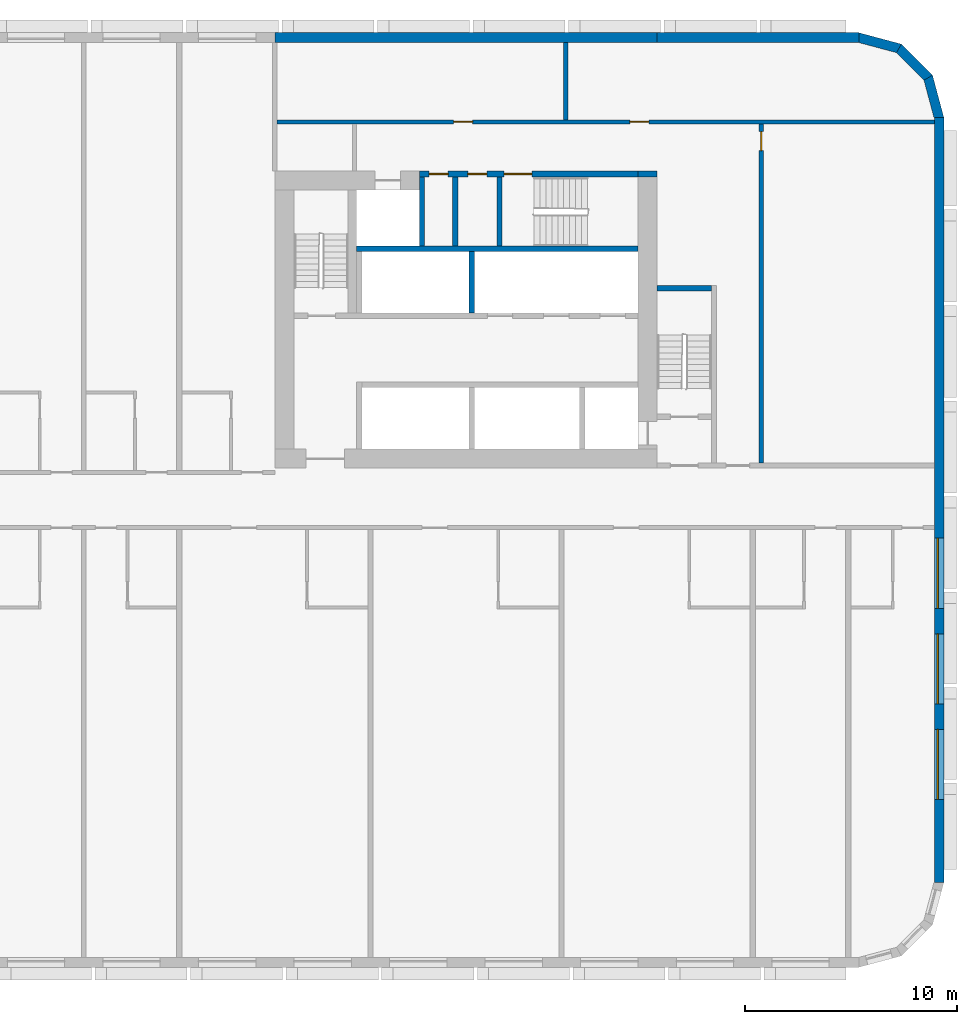
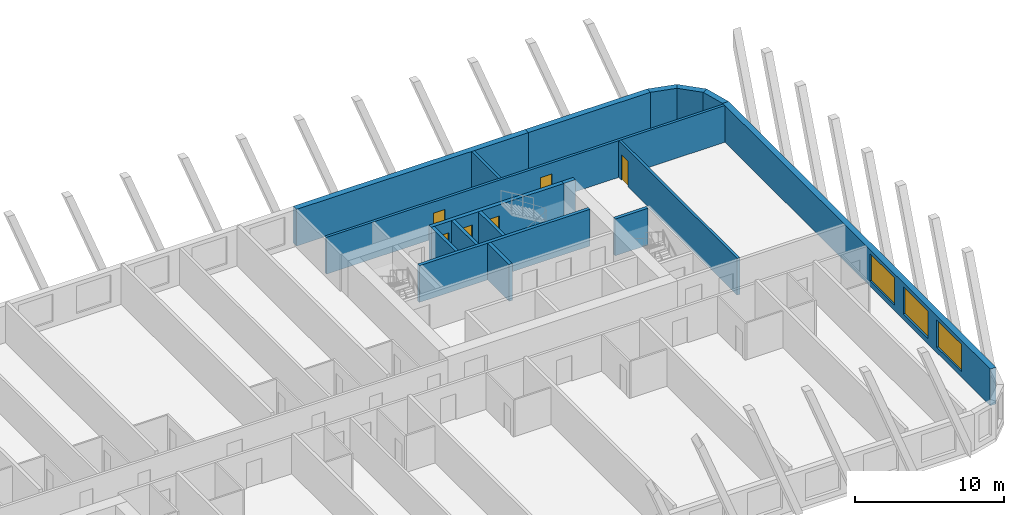
# One storey, part 8 of 13: 17 walls, 6 doors, 3 windows, 9 openings.
"""IFC4 building model written with IfcOpenShell, lengths in metres."""

from ifc_helpers import new_model, si_unit, direction, frame, frame_2d, origin, place, context, subcontext, project, spatial, polyline, rectangle, outline, extrude, material, layer, layer_set, type_object, element, fill, save


model = new_model("IFC4")

# Units and contexts
model_context = context("Model", 3, precision=1e-05, world=origin(), true_north=direction((0.0, 1.0)))
body_context = subcontext(model_context, "Body", "Model", "MODEL_VIEW")
ifc_project = project(units=[si_unit("LENGTHUNIT", "METRE"), si_unit("AREAUNIT", "SQUARE_METRE"), si_unit("VOLUMEUNIT", "CUBIC_METRE"), si_unit("PLANEANGLEUNIT", "RADIAN"), si_unit("MASSUNIT", "GRAM", prefix="KILO")], contexts=[model_context])

# Site, building, storey
site_placement = place(None, origin())
site = spatial("IfcSite", under=ifc_project, at=site_placement, CompositionType="ELEMENT")
building_placement = place(site_placement, origin())
building = spatial("IfcBuilding", under=site, at=building_placement, Name="Kajstack Hotel Tower", CompositionType="ELEMENT")
storey_placement = place(building_placement, frame((0.0, 0.0, 60.0)))
storey = spatial("IfcBuildingStorey", under=building, at=storey_placement, Name="L09", CompositionType="ELEMENT", Elevation=60.0)

# Walls
ifc_material_1 = material(Name="Concrete C60/75", Category="concrete")
ifc_layer_1 = layer(ifc_material_1, 0.89990234375)
ifc_layer_set_1 = layer_set([ifc_layer_1], Name="Core wall 900")
wall_type_1 = type_object("IfcWallType", Name="Core wall 900", PredefinedType="SHEAR", material=ifc_layer_set_1)
wall_1_placement = place(storey_placement, frame((30.60009765625, 15.35009765625, 0.0), z_axis=(0.0, 0.0, 1.0), x_axis=(1.0, 0.0, 0.0)))
element("IfcWall", 1, at=wall_1_placement, inside=storey, type_object=wall_type_1, Name="Core wall E RSW", PredefinedType="SHEAR", context=body_context, shape_type="SweptSolid", body=[
    extrude(rectangle(XDim=0.89990234375, YDim=0.300048828125, at=frame_2d((0.449951171875, 0.0))), origin(), (0.0, 0.0, 1.0), 3.02001953125),
])
ifc_material_2 = material(Name="Concrete C40/50", Category="concrete")
ifc_layer_2 = layer(ifc_material_2, 0.449951171875)
ifc_layer_set_2 = layer_set([ifc_layer_2], Name="EW-CORE")
wall_type_2 = type_object("IfcWallType", Name="EW-CORE", PredefinedType="SOLIDWALL", material=ifc_layer_set_2)
wall_2_placement = place(storey_placement, frame((31.5, 21.77490234375, 0.0), z_axis=(0.0, 0.0, 1.0), x_axis=(-1.0, 0.0, 0.0)))
element("IfcWall", 2, at=wall_2_placement, inside=storey, type_object=wall_type_2, Name="E-wall-L09-11-01", PredefinedType="SOLIDWALL", context=body_context, shape_type="SweptSolid", body=[
    extrude(rectangle(XDim=18.0, YDim=0.449951171875, at=frame_2d((9.0, 0.0))), origin(), (0.0, 0.0, 1.0), 3.02001953125),
])

# Wall, openings, windows
ifc_material_3 = material(Name="Terracotta-faced brick masonry", Category="masonry")
ifc_layer_3 = layer(ifc_material_3, 0.449951171875)
ifc_layer_set_3 = layer_set([ifc_layer_3], Name="EW-TERRA")
wall_type_3 = type_object("IfcWallType", Name="EW-TERRA", PredefinedType="SOLIDWALL", material=ifc_layer_set_3)
wall_3_placement = place(storey_placement, frame((44.77490234375, -18.0, 0.0), z_axis=(0.0, 0.0, 1.0), x_axis=(0.0, 1.0, 0.0)))
wall_3 = element("IfcWall", 3, at=wall_3_placement, inside=storey, type_object=wall_type_3, Name="E-wall-L09-07-00", PredefinedType="SOLIDWALL", context=body_context, shape_type="SweptSolid", body=[
    extrude(rectangle(XDim=36.0, YDim=0.449951171875, at=frame_2d((18.0, 0.0))), origin(), (0.0, 0.0, 1.0), 3.02001953125),
])
opening_1_placement = place(wall_3_placement, frame((3.89990234375, 0.0, 0.449951171875)))
opening_1 = element("IfcOpeningElement", 4, at=opening_1_placement, cuts=wall_3, Name="Opening W2", PredefinedType="OPENING", context=body_context, shape_type="SweptSolid", body=[
    extrude(rectangle(XDim=3.300048828125, YDim=2.25, at=frame_2d((1.64990234375, 1.125))), frame((0.0, 0.23486328125, 0.0), z_axis=(0.0, -1.0, 0.0), x_axis=(1.0, 0.0, 0.0)), (0.0, 0.0, 1.0), 0.469970703125),
])
opening_2_placement = place(wall_3_placement, frame((8.39990234375, 0.0, 0.449951171875)))
opening_2 = element("IfcOpeningElement", 5, at=opening_2_placement, cuts=wall_3, Name="Opening W2", PredefinedType="OPENING", context=body_context, shape_type="SweptSolid", body=[
    extrude(rectangle(XDim=3.300048828125, YDim=2.25, at=frame_2d((1.64990234375, 1.125))), frame((0.0, 0.23486328125, 0.0), z_axis=(0.0, -1.0, 0.0), x_axis=(1.0, 0.0, 0.0)), (0.0, 0.0, 1.0), 0.469970703125),
])
opening_3_placement = place(wall_3_placement, frame((12.89990234375, 0.0, 0.449951171875)))
opening_3 = element("IfcOpeningElement", 6, at=opening_3_placement, cuts=wall_3, Name="Opening W2", PredefinedType="OPENING", context=body_context, shape_type="SweptSolid", body=[
    extrude(rectangle(XDim=3.300048828125, YDim=2.25, at=frame_2d((1.64990234375, 1.125))), frame((0.0, 0.23486328125, 0.0), z_axis=(0.0, -1.0, 0.0), x_axis=(1.0, 0.0, 0.0)), (0.0, 0.0, 1.0), 0.469970703125),
])
ifc_material_4 = material(Name="Timber-aluminium window, triple glazed", Category="wood")
window_type = type_object("IfcWindowType", Name="WG2", PartitioningType="SINGLE_PANEL", PredefinedType="WINDOW", material=ifc_material_4)
window_1_placement = place(opening_1_placement, origin())
window_1 = element("IfcWindow", 7, at=window_1_placement, inside=storey, type_object=window_type, Name="Window W2 L09-07", OverallHeight=2.25, OverallWidth=3.300048828125, PartitioningType="SINGLE_PANEL", PredefinedType="WINDOW", context=body_context, shape_type="SweptSolid", body=[
    extrude(rectangle(XDim=3.300048828125, YDim=2.25, at=frame_2d((1.64990234375, 1.125))), frame((0.0, 0.090087890625, 0.0), z_axis=(0.0, -1.0, 0.0), x_axis=(1.0, 0.0, 0.0)), (0.0, 0.0, 1.0), 0.06005859375),
])
fill(opening_1, window_1)
window_2_placement = place(opening_2_placement, origin())
window_2 = element("IfcWindow", 8, at=window_2_placement, inside=storey, type_object=window_type, Name="Window W2 L09-07", OverallHeight=2.25, OverallWidth=3.300048828125, PartitioningType="SINGLE_PANEL", PredefinedType="WINDOW", context=body_context, shape_type="SweptSolid", body=[
    extrude(rectangle(XDim=3.300048828125, YDim=2.25, at=frame_2d((1.64990234375, 1.125))), frame((0.0, 0.090087890625, 0.0), z_axis=(0.0, -1.0, 0.0), x_axis=(1.0, 0.0, 0.0)), (0.0, 0.0, 1.0), 0.06005859375),
])
fill(opening_2, window_2)
window_3_placement = place(opening_3_placement, origin())
window_3 = element("IfcWindow", 9, at=window_3_placement, inside=storey, type_object=window_type, Name="Window W2 L09-07", OverallHeight=2.25, OverallWidth=3.300048828125, PartitioningType="SINGLE_PANEL", PredefinedType="WINDOW", context=body_context, shape_type="SweptSolid", body=[
    extrude(rectangle(XDim=3.300048828125, YDim=2.25, at=frame_2d((1.64990234375, 1.125))), frame((0.0, 0.090087890625, 0.0), z_axis=(0.0, -1.0, 0.0), x_axis=(1.0, 0.0, 0.0)), (0.0, 0.0, 1.0), 0.06005859375),
])
fill(opening_3, window_3)

# Walls
wall_4_placement = place(storey_placement, frame((44.78271484375, 17.941650390625, 0.0), z_axis=(0.0, 0.0, 1.0), x_axis=(-0.25881466832, 0.965926999034, 0.0)))
element("IfcWall", 10, at=wall_4_placement, inside=storey, type_object=wall_type_3, Name="E-wall-L09-08-00", PredefinedType="SOLIDWALL", context=body_context, shape_type="SweptSolid", body=[
    extrude(outline(polyline([(0.000244140625, -0.22509765625), (2.070556640625, -0.224853515625), (1.9501953125, 0.22509765625), (0.12060546875, 0.22509765625), (0.000244140625, -0.22509765625)])), origin(), (0.0, 0.0, 1.0), 3.02001953125),
])
wall_5_placement = place(storey_placement, frame((44.304931640625, 19.8408203125, 0.0), z_axis=(0.0, 0.0, 1.0), x_axis=(-0.707106781187, 0.707106781187, 0.0)))
element("IfcWall", 11, at=wall_5_placement, inside=storey, type_object=wall_type_3, Name="E-wall-L09-09-00", PredefinedType="SOLIDWALL", context=body_context, shape_type="SweptSolid", body=[
    extrude(outline(polyline([(0.0, -0.22509765625), (2.070556640625, -0.22509765625), (1.949951171875, 0.224853515625), (0.12060546875, 0.224853515625), (0.0, -0.22509765625)])), origin(), (0.0, 0.0, 1.0), 3.02001953125),
])
wall_6_placement = place(storey_placement, frame((42.941650390625, 21.246826171875, 0.0), z_axis=(0.0, 0.0, 1.0), x_axis=(-0.965926999034, 0.25881466832, 0.0)))
element("IfcWall", 12, at=wall_6_placement, inside=storey, type_object=wall_type_3, Name="E-wall-L09-10-00", PredefinedType="SOLIDWALL", context=body_context, shape_type="SweptSolid", body=[
    extrude(outline(polyline([(-0.000244140625, -0.224853515625), (2.0703125, -0.22509765625), (1.949951171875, 0.22509765625), (0.120361328125, 0.22509765625), (-0.000244140625, -0.224853515625)])), origin(), (0.0, 0.0, 1.0), 3.02001953125),
])
wall_7_placement = place(storey_placement, frame((41.0, 21.77490234375, 0.0), z_axis=(0.0, 0.0, 1.0), x_axis=(-1.0, 0.0, 0.0)))
element("IfcWall", 13, at=wall_7_placement, inside=storey, type_object=wall_type_3, Name="E-wall-L09-11-00", PredefinedType="SOLIDWALL", context=body_context, shape_type="SweptSolid", body=[
    extrude(rectangle(XDim=9.5, YDim=0.449951171875, at=frame_2d((4.75, 0.0))), origin(), (0.0, 0.0, 1.0), 3.02001953125),
])
ifc_material_5 = material(Name="Concrete C50/60", Category="concrete")
ifc_layer_4 = layer(ifc_material_5, 0.300048828125)
ifc_layer_set_4 = layer_set([ifc_layer_4], Name="Hoistway divider wall 300")
wall_type_4 = type_object("IfcWallType", Name="Hoistway divider wall 300", PredefinedType="SHEAR", material=ifc_layer_set_4)
wall_8_placement = place(storey_placement, frame((22.77490234375, 8.800048828125, 0.0), z_axis=(0.0, 0.0, 1.0), x_axis=(0.0, 1.0, 0.0)))
element("IfcWall", 14, at=wall_8_placement, inside=storey, type_object=wall_type_4, Name="Core wall E BP2", PredefinedType="SHEAR", context=body_context, shape_type="SweptSolid", body=[
    extrude(rectangle(XDim=2.89990234375, YDim=0.25, at=frame_2d((1.449951171875, 0.0))), origin(), (0.0, 0.0, 1.0), 3.02001953125),
])
ifc_material_6 = material(Name="Concrete block masonry", Category="masonry")
ifc_layer_5 = layer(ifc_material_6, 0.25)
ifc_layer_set_5 = layer_set([ifc_layer_5], Name="Riser partition 250")
wall_type_5 = type_object("IfcWallType", Name="Riser partition 250", PredefinedType="PARTITIONING", material=ifc_layer_set_5)
wall_9_placement = place(storey_placement, frame((22.0, 11.949951171875, 0.0), z_axis=(0.0, 0.0, 1.0), x_axis=(0.0, 1.0, 0.0)))
element("IfcWall", 15, at=wall_9_placement, inside=storey, type_object=wall_type_5, Name="Partition E SZ0", PredefinedType="PARTITIONING", context=body_context, shape_type="SweptSolid", body=[
    extrude(rectangle(XDim=3.25, YDim=0.25, at=frame_2d((1.625, 0.0))), origin(), (0.0, 0.0, 1.0), 3.02001953125),
])

# Wall, opening, door
ifc_material_7 = material(Name="Gypsum board on steel studs, mineral wool", Category="steel")
ifc_layer_6 = layer(ifc_material_7, 0.199951171875)
ifc_layer_set_6 = layer_set([ifc_layer_6], Name="Service partition 200")
wall_type_6 = type_object("IfcWallType", Name="Service partition 200", PredefinedType="PARTITIONING", material=ifc_layer_set_6)
wall_10_placement = place(storey_placement, frame((36.39990234375, 1.75, 0.0), z_axis=(0.0, 0.0, 1.0), x_axis=(0.0, 1.0, 0.0)))
wall_10 = element("IfcWall", 16, at=wall_10_placement, inside=storey, type_object=wall_type_6, Name="Partition E WRE", PredefinedType="PARTITIONING", context=body_context, shape_type="SweptSolid", body=[
    extrude(rectangle(XDim=15.949951171875, YDim=0.199951171875, at=frame_2d((7.97509765625, 0.0))), origin(), (0.0, 0.0, 1.0), 3.02001953125),
])
opening_4_placement = place(wall_10_placement, frame((14.699951171875, 0.0, 0.0)))
opening_4 = element("IfcOpeningElement", 17, at=opening_4_placement, cuts=wall_10, Name="Opening 09E16", PredefinedType="OPENING", context=body_context, shape_type="SweptSolid", body=[
    extrude(rectangle(XDim=0.89990234375, YDim=2.10009765625, at=frame_2d((0.449951171875, 1.050048828125))), frame((0.0, 0.10986328125, 0.0), z_axis=(0.0, -1.0, 0.0), x_axis=(1.0, 0.0, 0.0)), (0.0, 0.0, 1.0), 0.219970703125),
])
ifc_material_8 = material(Name="Timber leaf, fire-rated", Category="wood")
door_type_1 = type_object("IfcDoorType", Name="Service door 900", OperationType="SINGLE_SWING_LEFT", PredefinedType="DOOR", material=ifc_material_8)
door_1_placement = place(opening_4_placement, origin())
door_1 = element("IfcDoor", 18, at=door_1_placement, inside=storey, type_object=door_type_1, Name="Door 09E16", OperationType="SINGLE_SWING_RIGHT", OverallHeight=2.10009765625, OverallWidth=0.89990234375, PredefinedType="DOOR", context=body_context, shape_type="SweptSolid", body=[
    extrude(rectangle(XDim=0.89990234375, YDim=2.10009765625, at=frame_2d((0.449951171875, 1.050048828125))), frame((0.0, 0.02490234375, 0.0), z_axis=(0.0, -1.0, 0.0), x_axis=(1.0, 0.0, 0.0)), (0.0, 0.0, 1.0), 0.050048828125),
])
fill(opening_4, door_1)

# Wall, openings, doors
wall_11_placement = place(storey_placement, frame((13.60009765625, 17.800048828125, 0.0), z_axis=(0.0, 0.0, 1.0), x_axis=(1.0, 0.0, 0.0)))
wall_11 = element("IfcWall", 19, at=wall_11_placement, inside=storey, type_object=wall_type_6, Name="Partition E SLN", PredefinedType="PARTITIONING", context=body_context, shape_type="SweptSolid", body=[
    extrude(rectangle(XDim=30.949951171875, YDim=0.199951171875, at=frame_2d((15.47509765625, 0.0))), origin(), (0.0, 0.0, 1.0), 3.02001953125),
])
opening_5_placement = place(wall_11_placement, frame((16.612548828125, 0.0, 0.0)))
opening_5 = element("IfcOpeningElement", 20, at=opening_5_placement, cuts=wall_11, Name="Opening 09E14", PredefinedType="OPENING", context=body_context, shape_type="SweptSolid", body=[
    extrude(rectangle(XDim=0.89990234375, YDim=2.10009765625, at=frame_2d((0.449951171875, 1.050048828125))), frame((0.0, 0.10986328125, 0.0), z_axis=(0.0, -1.0, 0.0), x_axis=(1.0, 0.0, 0.0)), (0.0, 0.0, 1.0), 0.219970703125),
])
opening_6_placement = place(wall_11_placement, frame((8.3125, 0.0, 0.0)))
opening_6 = element("IfcOpeningElement", 21, at=opening_6_placement, cuts=wall_11, Name="Opening 09E15", PredefinedType="OPENING", context=body_context, shape_type="SweptSolid", body=[
    extrude(rectangle(XDim=0.89990234375, YDim=2.10009765625, at=frame_2d((0.449951171875, 1.050048828125))), frame((0.0, 0.10986328125, 0.0), z_axis=(0.0, -1.0, 0.0), x_axis=(1.0, 0.0, 0.0)), (0.0, 0.0, 1.0), 0.219970703125),
])
door_2_placement = place(opening_5_placement, origin())
door_2 = element("IfcDoor", 22, at=door_2_placement, inside=storey, type_object=door_type_1, Name="Door 09E14", OperationType="SINGLE_SWING_LEFT", OverallHeight=2.10009765625, OverallWidth=0.89990234375, PredefinedType="DOOR", context=body_context, shape_type="SweptSolid", body=[
    extrude(rectangle(XDim=0.89990234375, YDim=2.10009765625, at=frame_2d((0.449951171875, 1.050048828125))), frame((0.0, 0.02490234375, 0.0), z_axis=(0.0, -1.0, 0.0), x_axis=(1.0, 0.0, 0.0)), (0.0, 0.0, 1.0), 0.050048828125),
])
fill(opening_5, door_2)
door_3_placement = place(opening_6_placement, origin())
door_3 = element("IfcDoor", 23, at=door_3_placement, inside=storey, type_object=door_type_1, Name="Door 09E15", OperationType="SINGLE_SWING_LEFT", OverallHeight=2.10009765625, OverallWidth=0.89990234375, PredefinedType="DOOR", context=body_context, shape_type="SweptSolid", body=[
    extrude(rectangle(XDim=0.89990234375, YDim=2.10009765625, at=frame_2d((0.449951171875, 1.050048828125))), frame((0.0, 0.02490234375, 0.0), z_axis=(0.0, -1.0, 0.0), x_axis=(1.0, 0.0, 0.0)), (0.0, 0.0, 1.0), 0.050048828125),
])
fill(opening_6, door_3)

# Wall
wall_12_placement = place(storey_placement, frame((27.199951171875, 17.89990234375, 0.0), z_axis=(0.0, 0.0, 1.0), x_axis=(0.0, 1.0, 0.0)))
element("IfcWall", 24, at=wall_12_placement, inside=storey, type_object=wall_type_6, Name="Partition E SLP0", PredefinedType="PARTITIONING", context=body_context, shape_type="SweptSolid", body=[
    extrude(rectangle(XDim=3.650146484375, YDim=0.199951171875, at=frame_2d((1.8251953125, 0.0))), origin(), (0.0, 0.0, 1.0), 3.02001953125),
])

# Wall, openings, doors
ifc_layer_7 = layer(ifc_material_5, 0.25)
ifc_layer_set_7 = layer_set([ifc_layer_7], Name="Shaft wall 250")
wall_type_7 = type_object("IfcWallType", Name="Shaft wall 250", PredefinedType="SHEAR", material=ifc_layer_set_7)
wall_13_placement = place(storey_placement, frame((20.300048828125, 15.35009765625, 0.0), z_axis=(0.0, 0.0, 1.0), x_axis=(1.0, 0.0, 0.0)))
wall_13 = element("IfcWall", 25, at=wall_13_placement, inside=storey, type_object=wall_type_7, Name="Core wall E RSS", PredefinedType="SHEAR", context=body_context, shape_type="SweptSolid", body=[
    extrude(rectangle(XDim=10.300048828125, YDim=0.300048828125, at=frame_2d((5.14990234375, 0.0))), origin(), (0.0, 0.0, 1.0), 3.02001953125),
])
opening_7_placement = place(wall_13_placement, frame((4.0, 0.0, 0.0)))
opening_7 = element("IfcOpeningElement", 26, at=opening_7_placement, cuts=wall_13, Name="Opening 09E11", PredefinedType="OPENING", context=body_context, shape_type="SweptSolid", body=[
    extrude(rectangle(XDim=1.300048828125, YDim=2.10009765625, at=frame_2d((0.64990234375, 1.050048828125))), frame((0.0, 0.159912109375, 0.0), z_axis=(0.0, -1.0, 0.0), x_axis=(1.0, 0.0, 0.0)), (0.0, 0.0, 1.0), 0.320068359375),
])
opening_8_placement = place(wall_13_placement, frame((2.28759765625, 0.0, 0.0)))
opening_8 = element("IfcOpeningElement", 27, at=opening_8_placement, cuts=wall_13, Name="Opening 09E12", PredefinedType="OPENING", context=body_context, shape_type="SweptSolid", body=[
    extrude(rectangle(XDim=0.89990234375, YDim=2.10009765625, at=frame_2d((0.449951171875, 1.050048828125))), frame((0.0, 0.159912109375, 0.0), z_axis=(0.0, -1.0, 0.0), x_axis=(1.0, 0.0, 0.0)), (0.0, 0.0, 1.0), 0.320068359375),
])
opening_9_placement = place(wall_13_placement, frame((0.46240234375, 0.0, 0.0)))
opening_9 = element("IfcOpeningElement", 28, at=opening_9_placement, cuts=wall_13, Name="Opening 09E13", PredefinedType="OPENING", context=body_context, shape_type="SweptSolid", body=[
    extrude(rectangle(XDim=0.89990234375, YDim=2.10009765625, at=frame_2d((0.449951171875, 1.050048828125))), frame((0.0, 0.159912109375, 0.0), z_axis=(0.0, -1.0, 0.0), x_axis=(1.0, 0.0, 0.0)), (0.0, 0.0, 1.0), 0.320068359375),
])
door_4_placement = place(opening_8_placement, origin())
door_4 = element("IfcDoor", 29, at=door_4_placement, inside=storey, type_object=door_type_1, Name="Door 09E12", OperationType="SINGLE_SWING_RIGHT", OverallHeight=2.10009765625, OverallWidth=0.89990234375, PredefinedType="DOOR", context=body_context, shape_type="SweptSolid", body=[
    extrude(rectangle(XDim=0.89990234375, YDim=2.10009765625, at=frame_2d((0.449951171875, 1.050048828125))), frame((0.0, 0.02490234375, 0.0), z_axis=(0.0, -1.0, 0.0), x_axis=(1.0, 0.0, 0.0)), (0.0, 0.0, 1.0), 0.050048828125),
])
fill(opening_8, door_4)
door_5_placement = place(opening_9_placement, origin())
door_5 = element("IfcDoor", 30, at=door_5_placement, inside=storey, type_object=door_type_1, Name="Door 09E13", OperationType="SINGLE_SWING_RIGHT", OverallHeight=2.10009765625, OverallWidth=0.89990234375, PredefinedType="DOOR", context=body_context, shape_type="SweptSolid", body=[
    extrude(rectangle(XDim=0.89990234375, YDim=2.10009765625, at=frame_2d((0.449951171875, 1.050048828125))), frame((0.0, 0.02490234375, 0.0), z_axis=(0.0, -1.0, 0.0), x_axis=(1.0, 0.0, 0.0)), (0.0, 0.0, 1.0), 0.050048828125),
])
fill(opening_9, door_5)
ifc_material_9 = material(Name="Steel leaf, fire-rated", Category="steel")
door_type_2 = type_object("IfcDoorType", Name="Stair door 1300", OperationType="SINGLE_SWING_LEFT", PredefinedType="DOOR", material=ifc_material_9)
door_6_placement = place(opening_7_placement, origin())
door_6 = element("IfcDoor", 31, at=door_6_placement, inside=storey, type_object=door_type_2, Name="Door 09E11", OperationType="SINGLE_SWING_LEFT", OverallHeight=2.10009765625, OverallWidth=1.300048828125, PredefinedType="DOOR", context=body_context, shape_type="SweptSolid", body=[
    extrude(rectangle(XDim=1.300048828125, YDim=2.10009765625, at=frame_2d((0.64990234375, 1.050048828125))), frame((0.0, 0.02490234375, 0.0), z_axis=(0.0, -1.0, 0.0), x_axis=(1.0, 0.0, 0.0)), (0.0, 0.0, 1.0), 0.050048828125),
])
fill(opening_7, door_6)

# Walls
wall_14_placement = place(storey_placement, frame((17.35009765625, 11.824951171875, 0.0), z_axis=(0.0, 0.0, 1.0), x_axis=(1.0, 0.0, 0.0)))
element("IfcWall", 32, at=wall_14_placement, inside=storey, type_object=wall_type_7, Name="Core wall E RB", PredefinedType="SHEAR", context=body_context, shape_type="SweptSolid", body=[
    extrude(rectangle(XDim=13.25, YDim=0.25, at=frame_2d((6.625, 0.0))), origin(), (0.0, 0.0, 1.0), 3.02001953125),
])
wall_15_placement = place(storey_placement, frame((20.425048828125, 11.949951171875, 0.0), z_axis=(0.0, 0.0, 1.0), x_axis=(0.0, 1.0, 0.0)))
element("IfcWall", 33, at=wall_15_placement, inside=storey, type_object=wall_type_7, Name="Core wall E SVW", PredefinedType="SHEAR", context=body_context, shape_type="SweptSolid", body=[
    extrude(rectangle(XDim=3.25, YDim=0.25, at=frame_2d((1.625, 0.0))), origin(), (0.0, 0.0, 1.0), 3.02001953125),
])
ifc_layer_8 = layer(ifc_material_2, 0.25)
ifc_layer_set_8 = layer_set([ifc_layer_8], Name="Stair enclosure wall 250")
wall_type_8 = type_object("IfcWallType", Name="Stair enclosure wall 250", PredefinedType="SHEAR", material=ifc_layer_set_8)
wall_16_placement = place(storey_placement, frame((31.5, 9.97509765625, 0.0), z_axis=(0.0, 0.0, 1.0), x_axis=(1.0, 0.0, 0.0)))
element("IfcWall", 34, at=wall_16_placement, inside=storey, type_object=wall_type_8, Name="Core wall E W1S", PredefinedType="SHEAR", context=body_context, shape_type="SweptSolid", body=[
    extrude(rectangle(XDim=2.550048828125, YDim=0.25, at=frame_2d((1.27490234375, 0.0))), origin(), (0.0, 0.0, 1.0), 3.02001953125),
])
ifc_layer_9 = layer(ifc_material_5, 0.35009765625)
ifc_layer_set_9 = layer_set([ifc_layer_9], Name="Stair enclosure wall 350")
wall_type_9 = type_object("IfcWallType", Name="Stair enclosure wall 350", PredefinedType="SHEAR", material=ifc_layer_set_9)
wall_17_placement = place(storey_placement, frame((24.074951171875, 11.949951171875, 0.0), z_axis=(0.0, 0.0, 1.0), x_axis=(0.0, 1.0, 0.0)))
element("IfcWall", 35, at=wall_17_placement, inside=storey, type_object=wall_type_9, Name="Core wall E W3E", PredefinedType="SHEAR", context=body_context, shape_type="SweptSolid", body=[
    extrude(rectangle(XDim=3.25, YDim=0.25, at=frame_2d((1.625, 0.0))), origin(), (0.0, 0.0, 1.0), 3.02001953125),
])

save(model, "model.ifc")
